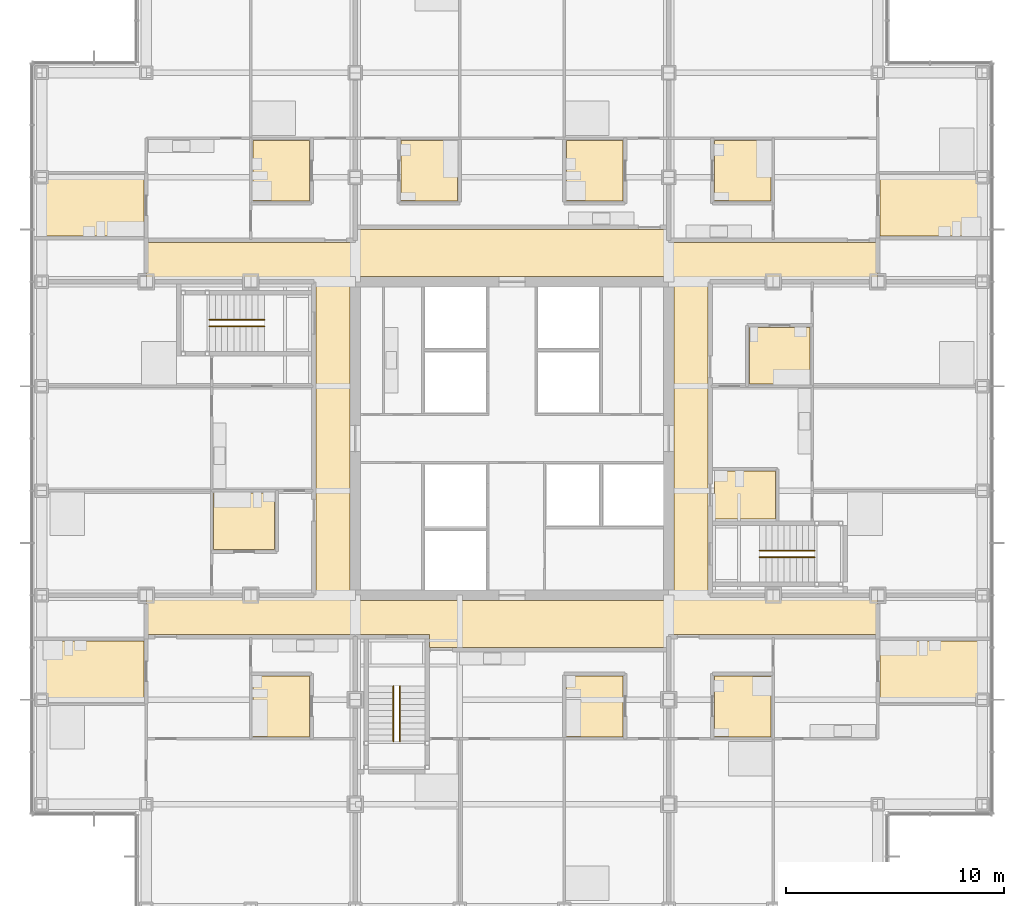
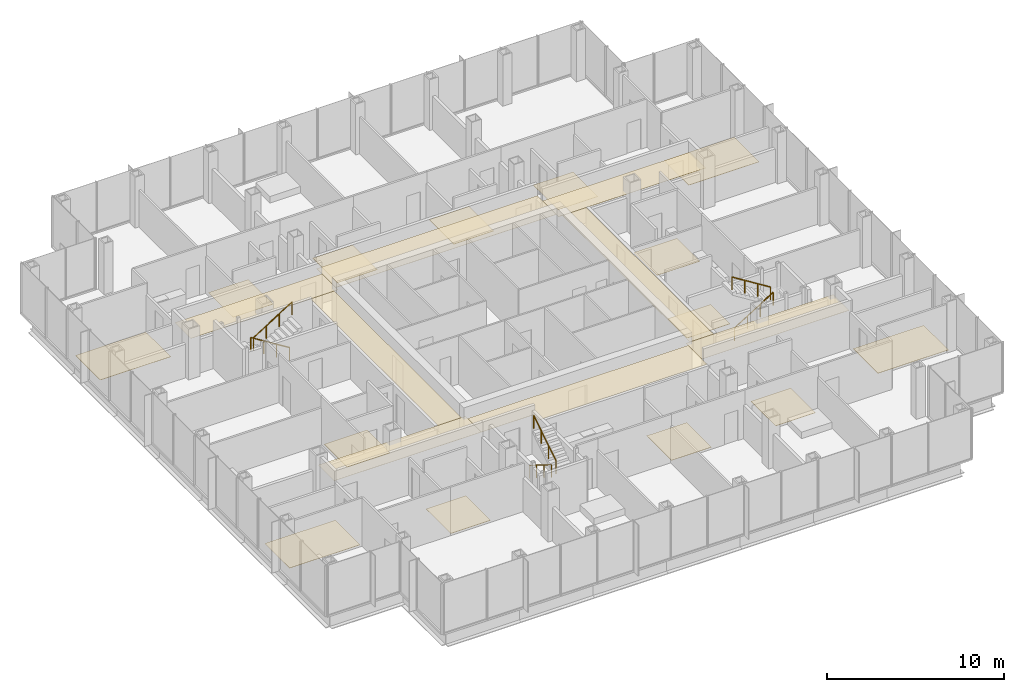
# One storey, part 19 of 21: 22 coverings, 6 railings.
"""IFC4 building model written with IfcOpenShell, lengths in metres."""

from ifc_helpers import new_model, si_unit, direction, frame, origin, origin_2d, place, context, subcontext, project, spatial, polyline, circle, outline, extrude, material, layer, layer_set, type_object, element, save


model = new_model("IFC4")

# Units and contexts
model_context = context("Model", 3, precision=1e-05, world=origin(), true_north=direction((0.0, 1.0)))
body_context = subcontext(model_context, "Body", "Model", "MODEL_VIEW")
ifc_project = project(units=[si_unit("LENGTHUNIT", "METRE"), si_unit("AREAUNIT", "SQUARE_METRE"), si_unit("VOLUMEUNIT", "CUBIC_METRE"), si_unit("PLANEANGLEUNIT", "RADIAN"), si_unit("MASSUNIT", "GRAM", prefix="KILO")], contexts=[model_context])

# Site, building, storey
site_placement = place(None, origin())
site = spatial("IfcSite", under=ifc_project, at=site_placement, CompositionType="ELEMENT")
building_placement = place(site_placement, origin())
building = spatial("IfcBuilding", under=site, at=building_placement, Name="Kvirike Care Tower", CompositionType="ELEMENT")
storey_placement = place(building_placement, frame((0.0, 0.0, 65.5)))
storey = spatial("IfcBuildingStorey", under=building, at=storey_placement, Name="L17", CompositionType="ELEMENT", Elevation=65.5)

# Coverings
ifc_material_1 = material(Name="Perforated metal ceiling tile", Category="aluminium")
ifc_layer_1 = layer(ifc_material_1, 0.014892578125)
ifc_layer_set_1 = layer_set([ifc_layer_1], Name="CORRIDOR CEILING 15")
covering_type_1 = type_object("IfcCoveringType", Name="CORRIDOR CEILING 15", PredefinedType="CEILING", material=ifc_layer_set_1)
covering_1_placement = place(storey_placement, frame((0.0, 0.0, 2.5)))
element("IfcCovering", 1, at=covering_1_placement, inside=storey, type_object=covering_type_1, Name="Corridor ceiling L17", PredefinedType="CEILING", context=body_context, shape_type="SweptSolid", body=[
    extrude(outline(polyline([(4.800048828125, 27.0), (4.800048828125, 28.800048828125), (14.39990234375, 28.800048828125), (14.39990234375, 27.0), (4.800048828125, 27.0)])), origin(), (0.0, 0.0, 1.0), 0.014892578125),
])
covering_2_placement = place(storey_placement, frame((0.0, 0.0, 2.5)))
element("IfcCovering", 2, at=covering_2_placement, inside=storey, type_object=covering_type_1, Name="Corridor ceiling L17", PredefinedType="CEILING", context=body_context, shape_type="SweptSolid", body=[
    extrude(outline(polyline([(12.60009765625, 43.199951171875), (14.14990234375, 43.199951171875), (14.14990234375, 28.800048828125), (12.60009765625, 28.800048828125), (12.60009765625, 43.199951171875)])), origin(), (0.0, 0.0, 1.0), 0.014892578125),
])
covering_3_placement = place(storey_placement, frame((0.0, 0.0, 2.5)))
element("IfcCovering", 3, at=covering_3_placement, inside=storey, type_object=covering_type_1, Name="Corridor ceiling L17", PredefinedType="CEILING", context=body_context, shape_type="SweptSolid", body=[
    extrude(outline(polyline([(14.39990234375, 45.0), (14.39990234375, 43.199951171875), (4.800048828125, 43.199951171875), (4.800048828125, 45.0), (14.39990234375, 45.0)])), origin(), (0.0, 0.0, 1.0), 0.014892578125),
])
covering_4_placement = place(storey_placement, frame((0.0, 0.0, 2.5)))
element("IfcCovering", 4, at=covering_4_placement, inside=storey, type_object=covering_type_1, Name="Corridor ceiling L17", PredefinedType="CEILING", context=body_context, shape_type="SweptSolid", body=[
    extrude(outline(polyline([(14.39990234375, 28.550048828125), (28.800048828125, 28.550048828125), (28.800048828125, 26.39990234375), (17.800048828125, 26.39990234375), (17.800048828125, 27.0), (14.39990234375, 27.0), (14.39990234375, 28.550048828125)])), origin(), (0.0, 0.0, 1.0), 0.014892578125),
])
covering_5_placement = place(storey_placement, frame((0.0, 0.0, 2.5)))
element("IfcCovering", 5, at=covering_5_placement, inside=storey, type_object=covering_type_1, Name="Corridor ceiling L17", PredefinedType="CEILING", context=body_context, shape_type="SweptSolid", body=[
    extrude(outline(polyline([(28.800048828125, 45.60009765625), (28.800048828125, 43.449951171875), (14.39990234375, 43.449951171875), (14.39990234375, 45.60009765625), (28.800048828125, 45.60009765625)])), origin(), (0.0, 0.0, 1.0), 0.014892578125),
])
covering_6_placement = place(storey_placement, frame((0.0, 0.0, 2.5)))
element("IfcCovering", 6, at=covering_6_placement, inside=storey, type_object=covering_type_1, Name="Corridor ceiling L17", PredefinedType="CEILING", context=body_context, shape_type="SweptSolid", body=[
    extrude(outline(polyline([(28.800048828125, 27.0), (28.800048828125, 28.800048828125), (38.39990234375, 28.800048828125), (38.39990234375, 27.0), (28.800048828125, 27.0)])), origin(), (0.0, 0.0, 1.0), 0.014892578125),
])
covering_7_placement = place(storey_placement, frame((0.0, 0.0, 2.5)))
element("IfcCovering", 7, at=covering_7_placement, inside=storey, type_object=covering_type_1, Name="Corridor ceiling L17", PredefinedType="CEILING", context=body_context, shape_type="SweptSolid", body=[
    extrude(outline(polyline([(30.60009765625, 28.800048828125), (29.050048828125, 28.800048828125), (29.050048828125, 43.199951171875), (30.60009765625, 43.199951171875), (30.60009765625, 28.800048828125)])), origin(), (0.0, 0.0, 1.0), 0.014892578125),
])
covering_8_placement = place(storey_placement, frame((0.0, 0.0, 2.5)))
element("IfcCovering", 8, at=covering_8_placement, inside=storey, type_object=covering_type_1, Name="Corridor ceiling L17", PredefinedType="CEILING", context=body_context, shape_type="SweptSolid", body=[
    extrude(outline(polyline([(38.39990234375, 45.0), (38.39990234375, 43.199951171875), (28.800048828125, 43.199951171875), (28.800048828125, 45.0), (38.39990234375, 45.0)])), origin(), (0.0, 0.0, 1.0), 0.014892578125),
])

# Railings
ifc_material_2 = material(Name="Stainless steel handrail", Category="steel")
railing_type = type_object("IfcRailingType", Name="STAIR HANDRAIL 900", PredefinedType="HANDRAIL", material=ifc_material_2)
railing_1_placement = place(storey_placement, frame((10.219970703125, 41.449951171875, 0.175048828125)))
element("IfcRailing", 9, at=railing_1_placement, inside=storey, type_object=railing_type, Name="Stair 1 handrail L17 flight 1", PredefinedType="HANDRAIL", context=body_context, shape_type="SweptSolid", body=[
    extrude(circle(Radius=0.02490234375, at=origin_2d()), frame((0.0, 0.0, 0.875), z_axis=(-0.848007534815, 0.0, 0.529984170421), x_axis=(0.0, -1.0, 0.0)), (0.0, 0.0, 1.0), 2.9716796875),
    extrude(circle(Radius=0.02001953125, at=origin_2d()), origin(), (0.0, 0.0, 1.0), 0.849853515625),
    extrude(circle(Radius=0.02001953125, at=origin_2d()), frame((-0.840087890625, 0.0, 0.52490234375)), (0.0, 0.0, 1.0), 0.849853515625),
    extrude(circle(Radius=0.02001953125, at=origin_2d()), frame((-1.679931640625, 0.0, 1.050048828125)), (0.0, 0.0, 1.0), 0.849853515625),
    extrude(circle(Radius=0.02001953125, at=origin_2d()), frame((-2.52001953125, 0.0, 1.574951171875)), (0.0, 0.0, 1.0), 0.849853515625),
])
for number, where, name in (
    (10, (7.699951171875, 41.14990234375, 1.925048828125), "Stair 1 handrail L17 flight 2"),
    (11, (32.97998046875, 30.550048828125, 0.175048828125), "Stair 2 handrail L17 flight 1"),
):
    element("IfcRailing", number, at=place(storey_placement, frame(where)), inside=storey, type_object=railing_type, Name=name, PredefinedType="HANDRAIL", context=body_context, shape_type="SweptSolid", body=[
        extrude(circle(Radius=0.02490234375, at=origin_2d()), frame((0.0, 0.0, 0.875), z_axis=(0.848007534815, 0.0, 0.529984170421), x_axis=(0.0, 1.0, 0.0)), (0.0, 0.0, 1.0), 2.9716796875),
        extrude(circle(Radius=0.02001953125, at=origin_2d()), origin(), (0.0, 0.0, 1.0), 0.849853515625),
        extrude(circle(Radius=0.02001953125, at=origin_2d()), frame((0.840087890625, 0.0, 0.52490234375)), (0.0, 0.0, 1.0), 0.849853515625),
        extrude(circle(Radius=0.02001953125, at=origin_2d()), frame((1.679931640625, 0.0, 1.050048828125)), (0.0, 0.0, 1.0), 0.849853515625),
        extrude(circle(Radius=0.02001953125, at=origin_2d()), frame((2.52001953125, 0.0, 1.574951171875)), (0.0, 0.0, 1.0), 0.849853515625),
    ])
railing_2_placement = place(storey_placement, frame((35.5, 30.85009765625, 1.925048828125)))
element("IfcRailing", 12, at=railing_2_placement, inside=storey, type_object=railing_type, Name="Stair 2 handrail L17 flight 2", PredefinedType="HANDRAIL", context=body_context, shape_type="SweptSolid", body=[
    extrude(circle(Radius=0.02490234375, at=origin_2d()), frame((0.0, 0.0, 0.875), z_axis=(-0.848007534815, 0.0, 0.529984170421), x_axis=(0.0, -1.0, 0.0)), (0.0, 0.0, 1.0), 2.9716796875),
    extrude(circle(Radius=0.02001953125, at=origin_2d()), origin(), (0.0, 0.0, 1.0), 0.849853515625),
    extrude(circle(Radius=0.02001953125, at=origin_2d()), frame((-0.840087890625, 0.0, 0.52490234375)), (0.0, 0.0, 1.0), 0.849853515625),
    extrude(circle(Radius=0.02001953125, at=origin_2d()), frame((-1.679931640625, 0.0, 1.050048828125)), (0.0, 0.0, 1.0), 0.849853515625),
    extrude(circle(Radius=0.02001953125, at=origin_2d()), frame((-2.52001953125, 0.0, 1.574951171875)), (0.0, 0.0, 1.0), 0.849853515625),
])
railing_3_placement = place(storey_placement, frame((16.14990234375, 24.6201171875, 0.175048828125)))
element("IfcRailing", 13, at=railing_3_placement, inside=storey, type_object=railing_type, Name="Stair 5 handrail L17 flight 1", PredefinedType="HANDRAIL", context=body_context, shape_type="SweptSolid", body=[
    extrude(circle(Radius=0.02490234375, at=origin_2d()), frame((0.0, 0.0, 0.875), z_axis=(0.0, -0.848007534815, 0.529984170421), x_axis=(1.0, 0.0, 0.0)), (0.0, 0.0, 1.0), 2.9716796875),
    extrude(circle(Radius=0.02001953125, at=origin_2d()), origin(), (0.0, 0.0, 1.0), 0.849853515625),
    extrude(circle(Radius=0.02001953125, at=origin_2d()), frame((0.0, -0.840087890625, 0.52490234375)), (0.0, 0.0, 1.0), 0.849853515625),
    extrude(circle(Radius=0.02001953125, at=origin_2d()), frame((0.0, -1.679931640625, 1.050048828125)), (0.0, 0.0, 1.0), 0.849853515625),
    extrude(circle(Radius=0.02001953125, at=origin_2d()), frame((0.0, -2.52001953125, 1.574951171875)), (0.0, 0.0, 1.0), 0.849853515625),
])
railing_4_placement = place(storey_placement, frame((16.449951171875, 22.10009765625, 1.925048828125)))
element("IfcRailing", 14, at=railing_4_placement, inside=storey, type_object=railing_type, Name="Stair 5 handrail L17 flight 2", PredefinedType="HANDRAIL", context=body_context, shape_type="SweptSolid", body=[
    extrude(circle(Radius=0.02490234375, at=origin_2d()), frame((0.0, 0.0, 0.875), z_axis=(0.0, 0.848007534815, 0.529984170421), x_axis=(-1.0, 0.0, 0.0)), (0.0, 0.0, 1.0), 2.9716796875),
    extrude(circle(Radius=0.02001953125, at=origin_2d()), origin(), (0.0, 0.0, 1.0), 0.849853515625),
    extrude(circle(Radius=0.02001953125, at=origin_2d()), frame((0.0, 0.840087890625, 0.52490234375)), (0.0, 0.0, 1.0), 0.849853515625),
    extrude(circle(Radius=0.02001953125, at=origin_2d()), frame((0.0, 1.679931640625, 1.050048828125)), (0.0, 0.0, 1.0), 0.849853515625),
    extrude(circle(Radius=0.02001953125, at=origin_2d()), frame((0.0, 2.52001953125, 1.574951171875)), (0.0, 0.0, 1.0), 0.849853515625),
])

# Coverings
ifc_material_3 = material(Name="Slip-resistant vinyl safety flooring on screed")
ifc_layer_2 = layer(ifc_material_3, 0.02001953125)
ifc_layer_set_2 = layer_set([ifc_layer_2], Name="WET ROOM FLOOR 20")
covering_type_2 = type_object("IfcCoveringType", Name="WET ROOM FLOOR 20", PredefinedType="FLOORING", material=ifc_layer_set_2)
covering_9_placement = place(storey_placement, origin())
element("IfcCovering", 15, at=covering_9_placement, inside=storey, type_object=covering_type_2, Name="Shower room floor L17-004", PredefinedType="FLOORING", context=body_context, shape_type="SweptSolid", body=[
    extrude(outline(polyline([(0.10009765625, 23.89990234375), (0.10009765625, 26.699951171875), (4.699951171875, 26.699951171875), (4.699951171875, 23.89990234375), (0.10009765625, 23.89990234375)])), origin(), (0.0, 0.0, 1.0), 0.02001953125),
])
covering_10_placement = place(storey_placement, origin())
element("IfcCovering", 16, at=covering_10_placement, inside=storey, type_object=covering_type_2, Name="Bathroom floor L17-005", PredefinedType="FLOORING", context=body_context, shape_type="SweptSolid", body=[
    extrude(outline(polyline([(9.699951171875, 22.300048828125), (9.699951171875, 25.10009765625), (12.300048828125, 25.10009765625), (12.300048828125, 22.300048828125), (9.699951171875, 22.300048828125)])), origin(), (0.0, 0.0, 1.0), 0.02001953125),
])
covering_11_placement = place(storey_placement, origin())
element("IfcCovering", 17, at=covering_11_placement, inside=storey, type_object=covering_type_2, Name="Bathroom floor L17-013", PredefinedType="FLOORING", context=body_context, shape_type="SweptSolid", body=[
    extrude(outline(polyline([(7.89990234375, 33.5), (10.699951171875, 33.5), (10.699951171875, 30.89990234375), (7.89990234375, 30.89990234375), (7.89990234375, 33.5)])), origin(), (0.0, 0.0, 1.0), 0.02001953125),
])
covering_12_placement = place(storey_placement, origin())
element("IfcCovering", 18, at=covering_12_placement, inside=storey, type_object=covering_type_2, Name="Shower room floor L17-020", PredefinedType="FLOORING", context=body_context, shape_type="SweptSolid", body=[
    extrude(outline(polyline([(12.300048828125, 49.699951171875), (12.300048828125, 46.89990234375), (9.699951171875, 46.89990234375), (9.699951171875, 49.699951171875), (12.300048828125, 49.699951171875)])), origin(), (0.0, 0.0, 1.0), 0.02001953125),
])
covering_13_placement = place(storey_placement, origin())
element("IfcCovering", 19, at=covering_13_placement, inside=storey, type_object=covering_type_2, Name="Bathroom floor L17-021", PredefinedType="FLOORING", context=body_context, shape_type="SweptSolid", body=[
    extrude(outline(polyline([(4.699951171875, 48.10009765625), (4.699951171875, 45.300048828125), (0.10009765625, 45.300048828125), (0.10009765625, 48.10009765625), (4.699951171875, 48.10009765625)])), origin(), (0.0, 0.0, 1.0), 0.02001953125),
])
covering_14_placement = place(storey_placement, origin())
element("IfcCovering", 20, at=covering_14_placement, inside=storey, type_object=covering_type_2, Name="Bathroom floor L17-029", PredefinedType="FLOORING", context=body_context, shape_type="SweptSolid", body=[
    extrude(outline(polyline([(24.10009765625, 22.300048828125), (24.10009765625, 25.10009765625), (26.699951171875, 25.10009765625), (26.699951171875, 22.300048828125), (24.10009765625, 22.300048828125)])), origin(), (0.0, 0.0, 1.0), 0.02001953125),
])
covering_15_placement = place(storey_placement, origin())
element("IfcCovering", 21, at=covering_15_placement, inside=storey, type_object=covering_type_2, Name="Shower room floor L17-035", PredefinedType="FLOORING", context=body_context, shape_type="SweptSolid", body=[
    extrude(outline(polyline([(26.699951171875, 49.699951171875), (26.699951171875, 46.89990234375), (24.10009765625, 46.89990234375), (24.10009765625, 49.699951171875), (26.699951171875, 49.699951171875)])), origin(), (0.0, 0.0, 1.0), 0.02001953125),
])
covering_16_placement = place(storey_placement, origin())
element("IfcCovering", 22, at=covering_16_placement, inside=storey, type_object=covering_type_2, Name="Bathroom floor L17-036", PredefinedType="FLOORING", context=body_context, shape_type="SweptSolid", body=[
    extrude(outline(polyline([(19.10009765625, 49.699951171875), (19.10009765625, 46.89990234375), (16.5, 46.89990234375), (16.5, 49.699951171875), (19.10009765625, 49.699951171875)])), origin(), (0.0, 0.0, 1.0), 0.02001953125),
])
covering_17_placement = place(storey_placement, origin())
element("IfcCovering", 23, at=covering_17_placement, inside=storey, type_object=covering_type_2, Name="Shower room floor L17-041", PredefinedType="FLOORING", context=body_context, shape_type="SweptSolid", body=[
    extrude(outline(polyline([(30.89990234375, 22.300048828125), (30.89990234375, 25.10009765625), (33.5, 25.10009765625), (33.5, 22.300048828125), (30.89990234375, 22.300048828125)])), origin(), (0.0, 0.0, 1.0), 0.02001953125),
])
covering_18_placement = place(storey_placement, origin())
element("IfcCovering", 24, at=covering_18_placement, inside=storey, type_object=covering_type_2, Name="Bathroom floor L17-042", PredefinedType="FLOORING", context=body_context, shape_type="SweptSolid", body=[
    extrude(outline(polyline([(38.5, 23.89990234375), (38.5, 26.699951171875), (43.10009765625, 26.699951171875), (43.10009765625, 23.89990234375), (38.5, 23.89990234375)])), origin(), (0.0, 0.0, 1.0), 0.02001953125),
])
covering_19_placement = place(storey_placement, origin())
element("IfcCovering", 25, at=covering_19_placement, inside=storey, type_object=covering_type_2, Name="Accessible WC floor L17-050", PredefinedType="FLOORING", context=body_context, shape_type="SweptSolid", body=[
    extrude(outline(polyline([(33.699951171875, 32.300048828125), (30.89990234375, 32.300048828125), (30.89990234375, 34.5), (33.699951171875, 34.5), (33.699951171875, 32.300048828125)])), origin(), (0.0, 0.0, 1.0), 0.02001953125),
])
covering_20_placement = place(storey_placement, origin())
element("IfcCovering", 26, at=covering_20_placement, inside=storey, type_object=covering_type_2, Name="Bathroom floor L17-051", PredefinedType="FLOORING", context=body_context, shape_type="SweptSolid", body=[
    extrude(outline(polyline([(35.300048828125, 38.5), (32.5, 38.5), (32.5, 41.10009765625), (35.300048828125, 41.10009765625), (35.300048828125, 38.5)])), origin(), (0.0, 0.0, 1.0), 0.02001953125),
])
covering_21_placement = place(storey_placement, origin())
element("IfcCovering", 27, at=covering_21_placement, inside=storey, type_object=covering_type_2, Name="Shower room floor L17-057", PredefinedType="FLOORING", context=body_context, shape_type="SweptSolid", body=[
    extrude(outline(polyline([(43.10009765625, 48.10009765625), (43.10009765625, 45.300048828125), (38.5, 45.300048828125), (38.5, 48.10009765625), (43.10009765625, 48.10009765625)])), origin(), (0.0, 0.0, 1.0), 0.02001953125),
])
covering_22_placement = place(storey_placement, origin())
element("IfcCovering", 28, at=covering_22_placement, inside=storey, type_object=covering_type_2, Name="Bathroom floor L17-058", PredefinedType="FLOORING", context=body_context, shape_type="SweptSolid", body=[
    extrude(outline(polyline([(33.5, 49.699951171875), (33.5, 46.89990234375), (30.89990234375, 46.89990234375), (30.89990234375, 49.699951171875), (33.5, 49.699951171875)])), origin(), (0.0, 0.0, 1.0), 0.02001953125),
])

save(model, "model.ifc")
